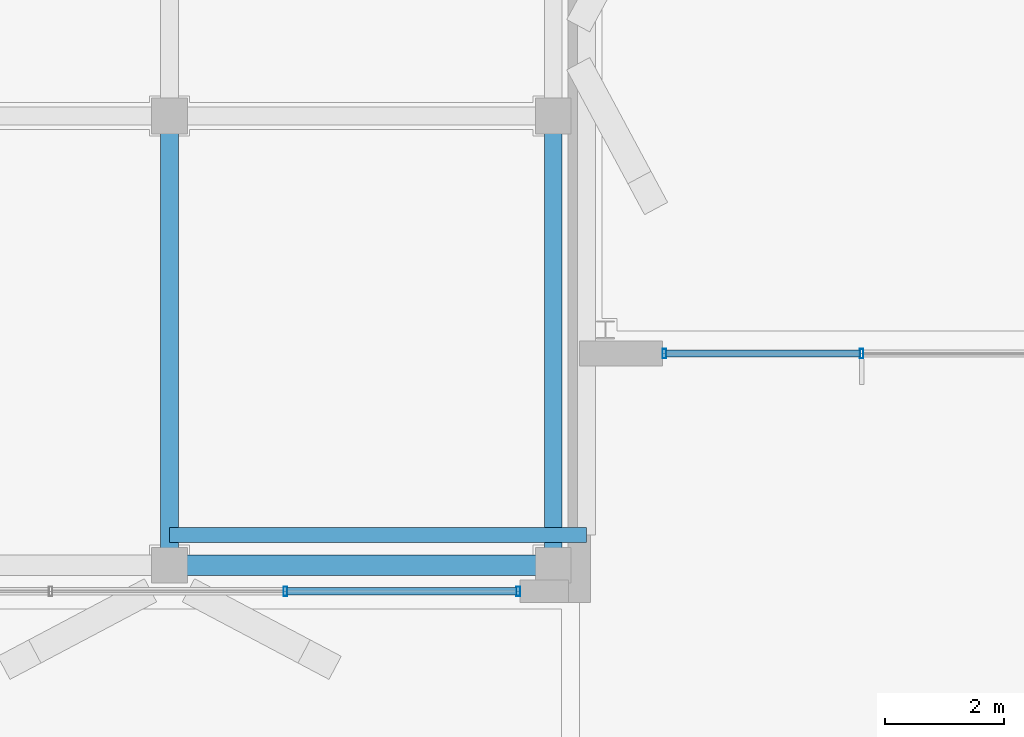
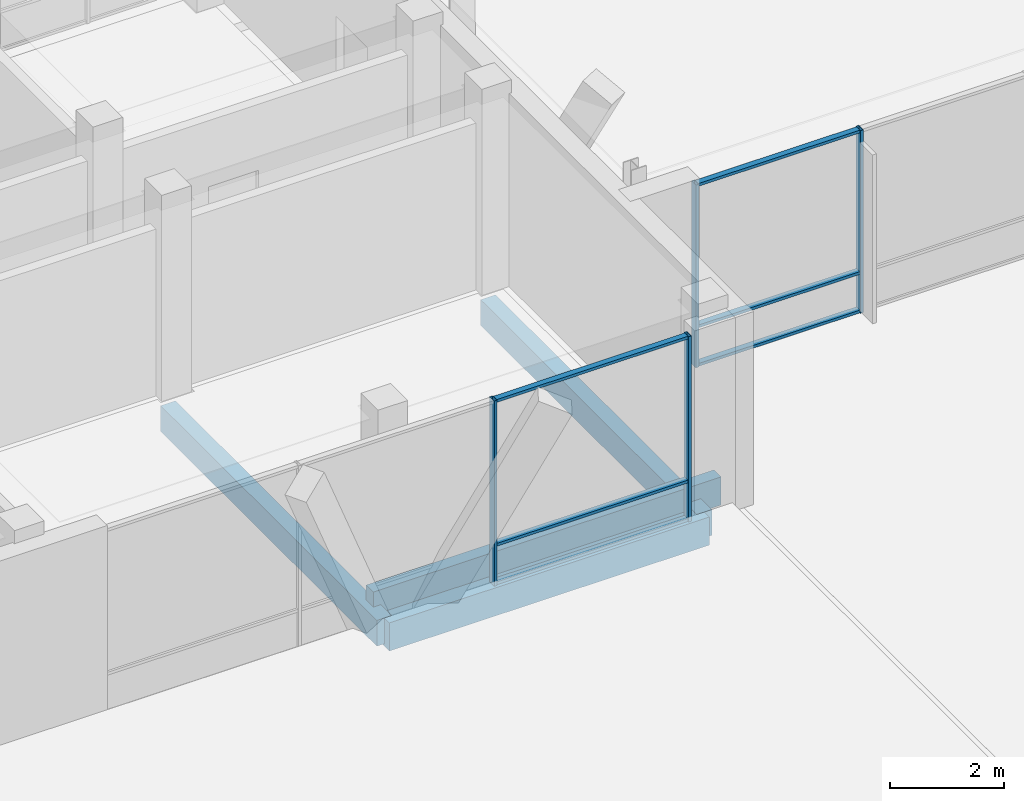
# One storey, part 114 of 233: 10 members, 4 beams, 2 elements without a shape of their own.
"""IFC4 building model written with IfcOpenShell, lengths in metres."""

from ifc_helpers import new_model, si_unit, direction, frame, origin, origin_2d, place, context, subcontext, project, spatial, rectangle, hollow_rectangle, extrude, material, material_profile, profile_set, type_object, element, aggregate, save


model = new_model("IFC4")

# Units and contexts
model_context = context("Model", 3, precision=1e-05, world=origin(), true_north=direction((0.0, 1.0)))
body_context = subcontext(model_context, "Body", "Model", "MODEL_VIEW")
ifc_project = project(units=[si_unit("LENGTHUNIT", "METRE"), si_unit("AREAUNIT", "SQUARE_METRE"), si_unit("VOLUMEUNIT", "CUBIC_METRE"), si_unit("PLANEANGLEUNIT", "RADIAN"), si_unit("MASSUNIT", "GRAM", prefix="KILO")], contexts=[model_context])

# Site, building, storey
site_placement = place(None, origin())
site = spatial("IfcSite", under=ifc_project, at=site_placement, CompositionType="ELEMENT")
building_placement = place(site_placement, origin())
building = spatial("IfcBuilding", under=site, at=building_placement, Name="Zavelmont Quarter", CompositionType="ELEMENT")
storey_placement = place(building_placement, origin())
storey = spatial("IfcBuildingStorey", under=building, at=storey_placement, Name="L00", CompositionType="ELEMENT", Elevation=0.0)

# Beams
ifc_material_1 = material(Name="Concrete C35/45", Category="concrete")
ifc_material_profile_1 = material_profile(ifc_material_1, rectangle(XDim=0.35009765625, YDim=0.60009765625, at=origin_2d()), Name="RC350X600")
ifc_profile_set_1 = profile_set([ifc_material_profile_1], Name="Concrete C35/45")
beam_type_1 = type_object("IfcBeamType", Name="BM01", PredefinedType="SPANDREL", material=ifc_profile_set_1)
beam_1_placement = place(storey_placement, frame((48.300048828125, 98.0400390625, -0.6201171875), z_axis=(1.0, 0.0, 0.0), x_axis=(0.0, 1.0, 0.0)))
element("IfcBeam", 1, at=beam_1_placement, inside=storey, type_object=beam_type_1, Name="L00 beam BM01 8/P to 9/P", PredefinedType="SPANDREL", context=body_context, shape_type="SweptSolid", body=[
    extrude(rectangle(XDim=0.35009765625, YDim=0.60009765625, at=origin_2d()), origin(), (0.0, 0.0, 1.0), 6.4599609375),
])
ifc_material_profile_2 = material_profile(ifc_material_1, rectangle(XDim=0.300048828125, YDim=0.550048828125, at=origin_2d()), Name="RC300X550")
ifc_profile_set_2 = profile_set([ifc_material_profile_2], Name="Concrete C35/45")
beam_type_2 = type_object("IfcBeamType", Name="BM02", PredefinedType="SPANDREL", material=ifc_profile_set_2)
for number, where, z_axis, x_axis, name in (
    (2, (48.300048828125, 98.0400390625, -0.594970703125), (0.0, 1.0, 0.0), (-1.0, 0.0, 0.0), "L00 beam BM02 8/P to 8/Q"),
    (3, (54.760009765625, 98.0400390625, -0.594970703125), (0.0, 1.0, 0.0), (-1.0, 0.0, 0.0), "L00 beam BM02 9/P to 9/Q"),
):
    element("IfcBeam", number, at=place(storey_placement, frame(where, z_axis=z_axis, x_axis=x_axis)), inside=storey, type_object=beam_type_2, Name=name, PredefinedType="SPANDREL", context=body_context, shape_type="SweptSolid", body=[
        extrude(rectangle(XDim=0.300048828125, YDim=0.550048828125, at=origin_2d()), origin(), (0.0, 0.0, 1.0), 7.56005859375),
    ])
ifc_material_2 = material(Name="Concrete C40/50", Category="concrete")
ifc_material_profile_3 = material_profile(ifc_material_2, rectangle(XDim=0.25, YDim=0.60009765625, at=origin_2d()), Name="RC250X600")
ifc_profile_set_3 = profile_set([ifc_material_profile_3], Name="Concrete C40/50")
beam_type_3 = type_object("IfcBeamType", Name="BM18", PredefinedType="BEAM", material=ifc_profile_set_3)
beam_2_placement = place(storey_placement, frame((48.300048828125, 98.550048828125, -0.300048828125), z_axis=(1.0, 0.0, 0.0), x_axis=(0.0, 1.0, 0.0)))
element("IfcBeam", 4, at=beam_2_placement, inside=storey, type_object=beam_type_3, Name="L00 beam BM18 8/P to 9/P", PredefinedType="BEAM", context=body_context, shape_type="SweptSolid", body=[
    extrude(rectangle(XDim=0.25, YDim=0.60009765625, at=origin_2d()), origin(), (0.0, 0.0, 1.0), 7.02001953125),
])

# Curtain wall, members
ifc_material_3 = material(Name="Thermally broken aluminium and double low-E safety glazing", Category="aluminium")
curtain_wall_type_1 = type_object("IfcCurtainWallType", Name="CW-1185X395", PredefinedType="NOTDEFINED", material=ifc_material_3)
curtain_wall_1_placement = place(storey_placement, origin())
curtain_wall_1 = element("IfcCurtainWall", 5, at=curtain_wall_1_placement, inside=storey, type_object=curtain_wall_type_1, Name="L00 unitised curtain wall CW-1185X395", PredefinedType="NOTDEFINED")
ifc_material_4 = material(Name="Powder-coated aluminium EN AW-6063-T6", Category="aluminium")
ifc_material_profile_4 = material_profile(ifc_material_4, hollow_rectangle(XDim=0.06005859375, YDim=0.159912109375, WallThickness=0.00390625, at=origin_2d()), Name="CWM60X160")
ifc_profile_set_4 = profile_set([ifc_material_profile_4], Name="Powder-coated aluminium EN AW-6063-T6")
member_type_1 = type_object("IfcMemberType", Name="CWM01", PredefinedType="MULLION", material=ifc_profile_set_4)
member_1_placement = place(storey_placement, frame((50.25, 97.60009765625, 0.0), z_axis=(0.0, 0.0, 1.0), x_axis=(1.0, 0.0, 0.0)))
member_1 = element("IfcMember", 6, at=member_1_placement, type_object=member_type_1, Name="CW-1185X395 mullion 3", PredefinedType="MULLION", context=body_context, shape_type="SweptSolid", body=[
    extrude(hollow_rectangle(XDim=0.06005859375, YDim=0.159912109375, WallThickness=0.00390625, at=origin_2d()), origin(), (0.0, 0.0, 1.0), 3.949951171875),
])
member_2_placement = place(storey_placement, frame((54.169921875, 97.60009765625, 0.0), z_axis=(0.0, 0.0, 1.0), x_axis=(1.0, 0.0, 0.0)))
member_2 = element("IfcMember", 7, at=member_2_placement, type_object=member_type_1, Name="CW-1185X395 mullion 4", PredefinedType="MULLION", context=body_context, shape_type="SweptSolid", body=[
    extrude(hollow_rectangle(XDim=0.06005859375, YDim=0.159912109375, WallThickness=0.00390625, at=origin_2d()), origin(), (0.0, 0.0, 1.0), 3.949951171875),
])

curtain_wall_type_2 = type_object("IfcCurtainWallType", Name="CW-1340X390", PredefinedType="NOTDEFINED", material=ifc_material_3)
curtain_wall_2_placement = place(storey_placement, origin())
curtain_wall_2 = element("IfcCurtainWall", 8, at=curtain_wall_2_placement, inside=storey, type_object=curtain_wall_type_2, Name="L00 unitised curtain wall CW-1340X390", PredefinedType="NOTDEFINED")
member_3_placement = place(storey_placement, frame((56.6298828125, 101.60009765625, 0.0), z_axis=(0.0, 0.0, 1.0), x_axis=(1.0, 0.0, 0.0)))
member_3 = element("IfcMember", 9, at=member_3_placement, type_object=member_type_1, Name="CW-1340X390 mullion 1", PredefinedType="MULLION", context=body_context, shape_type="SweptSolid", body=[
    extrude(hollow_rectangle(XDim=0.06005859375, YDim=0.159912109375, WallThickness=0.00390625, at=origin_2d()), origin(), (0.0, 0.0, 1.0), 3.89990234375),
])
member_4_placement = place(storey_placement, frame((59.949951171875, 101.60009765625, 0.0), z_axis=(0.0, 0.0, 1.0), x_axis=(1.0, 0.0, 0.0)))
member_4 = element("IfcMember", 10, at=member_4_placement, type_object=member_type_1, Name="CW-1340X390 mullion 2", PredefinedType="MULLION", context=body_context, shape_type="SweptSolid", body=[
    extrude(hollow_rectangle(XDim=0.06005859375, YDim=0.159912109375, WallThickness=0.00390625, at=origin_2d()), origin(), (0.0, 0.0, 1.0), 3.89990234375),
])

# Member
ifc_material_profile_5 = material_profile(ifc_material_4, hollow_rectangle(XDim=0.1201171875, YDim=0.06005859375, WallThickness=0.00390625, at=origin_2d()), Name="CWT60X120")
ifc_profile_set_5 = profile_set([ifc_material_profile_5], Name="Powder-coated aluminium EN AW-6063-T6")
member_type_2 = type_object("IfcMemberType", Name="CWT01", PredefinedType="NOTDEFINED", material=ifc_profile_set_5)
member_5_placement = place(storey_placement, frame((50.280029296875, 97.60009765625, 0.030029296875), z_axis=(1.0, 0.0, 0.0), x_axis=(0.0, 1.0, 0.0)))
member_5 = element("IfcMember", 11, at=member_5_placement, type_object=member_type_2, Name="CW-1185X395 transom 3.1", ObjectType="TRANSOM", PredefinedType="USERDEFINED", context=body_context, shape_type="SweptSolid", body=[
    extrude(hollow_rectangle(XDim=0.1201171875, YDim=0.06005859375, WallThickness=0.00390625, at=origin_2d()), origin(), (0.0, 0.0, 1.0), 3.85986328125),
])

member_6_placement = place(storey_placement, frame((50.280029296875, 97.60009765625, 0.85009765625), z_axis=(1.0, 0.0, 0.0), x_axis=(0.0, 1.0, 0.0)))
member_6 = element("IfcMember", 12, at=member_6_placement, type_object=member_type_2, Name="CW-1185X395 transom 3.2", ObjectType="TRANSOM", PredefinedType="USERDEFINED", context=body_context, shape_type="SweptSolid", body=[
    extrude(hollow_rectangle(XDim=0.1201171875, YDim=0.06005859375, WallThickness=0.00390625, at=origin_2d()), origin(), (0.0, 0.0, 1.0), 3.85986328125),
])

member_7_placement = place(storey_placement, frame((50.280029296875, 97.60009765625, 3.919921875), z_axis=(1.0, 0.0, 0.0), x_axis=(0.0, 1.0, 0.0)))
member_7 = element("IfcMember", 13, at=member_7_placement, type_object=member_type_2, Name="CW-1185X395 transom 3.3", ObjectType="TRANSOM", PredefinedType="USERDEFINED", context=body_context, shape_type="SweptSolid", body=[
    extrude(hollow_rectangle(XDim=0.1201171875, YDim=0.06005859375, WallThickness=0.00390625, at=origin_2d()), origin(), (0.0, 0.0, 1.0), 3.85986328125),
])

aggregate(curtain_wall_1, [member_1, member_2, member_5, member_6, member_7])

member_8_placement = place(storey_placement, frame((56.659912109375, 101.60009765625, 0.030029296875), z_axis=(1.0, 0.0, 0.0), x_axis=(0.0, 1.0, 0.0)))
member_8 = element("IfcMember", 14, at=member_8_placement, type_object=member_type_2, Name="CW-1340X390 transom 1.1", ObjectType="TRANSOM", PredefinedType="USERDEFINED", context=body_context, shape_type="SweptSolid", body=[
    extrude(hollow_rectangle(XDim=0.1201171875, YDim=0.06005859375, WallThickness=0.00390625, at=origin_2d()), origin(), (0.0, 0.0, 1.0), 3.260009765625),
])

member_9_placement = place(storey_placement, frame((56.659912109375, 101.60009765625, 0.85009765625), z_axis=(1.0, 0.0, 0.0), x_axis=(0.0, 1.0, 0.0)))
member_9 = element("IfcMember", 15, at=member_9_placement, type_object=member_type_2, Name="CW-1340X390 transom 1.2", ObjectType="TRANSOM", PredefinedType="USERDEFINED", context=body_context, shape_type="SweptSolid", body=[
    extrude(hollow_rectangle(XDim=0.1201171875, YDim=0.06005859375, WallThickness=0.00390625, at=origin_2d()), origin(), (0.0, 0.0, 1.0), 3.260009765625),
])

member_10_placement = place(storey_placement, frame((56.659912109375, 101.60009765625, 3.8701171875), z_axis=(1.0, 0.0, 0.0), x_axis=(0.0, 1.0, 0.0)))
member_10 = element("IfcMember", 16, at=member_10_placement, type_object=member_type_2, Name="CW-1340X390 transom 1.3", ObjectType="TRANSOM", PredefinedType="USERDEFINED", context=body_context, shape_type="SweptSolid", body=[
    extrude(hollow_rectangle(XDim=0.1201171875, YDim=0.06005859375, WallThickness=0.00390625, at=origin_2d()), origin(), (0.0, 0.0, 1.0), 3.260009765625),
])

aggregate(curtain_wall_2, [member_3, member_4, member_8, member_9, member_10])

save(model, "model.ifc")
